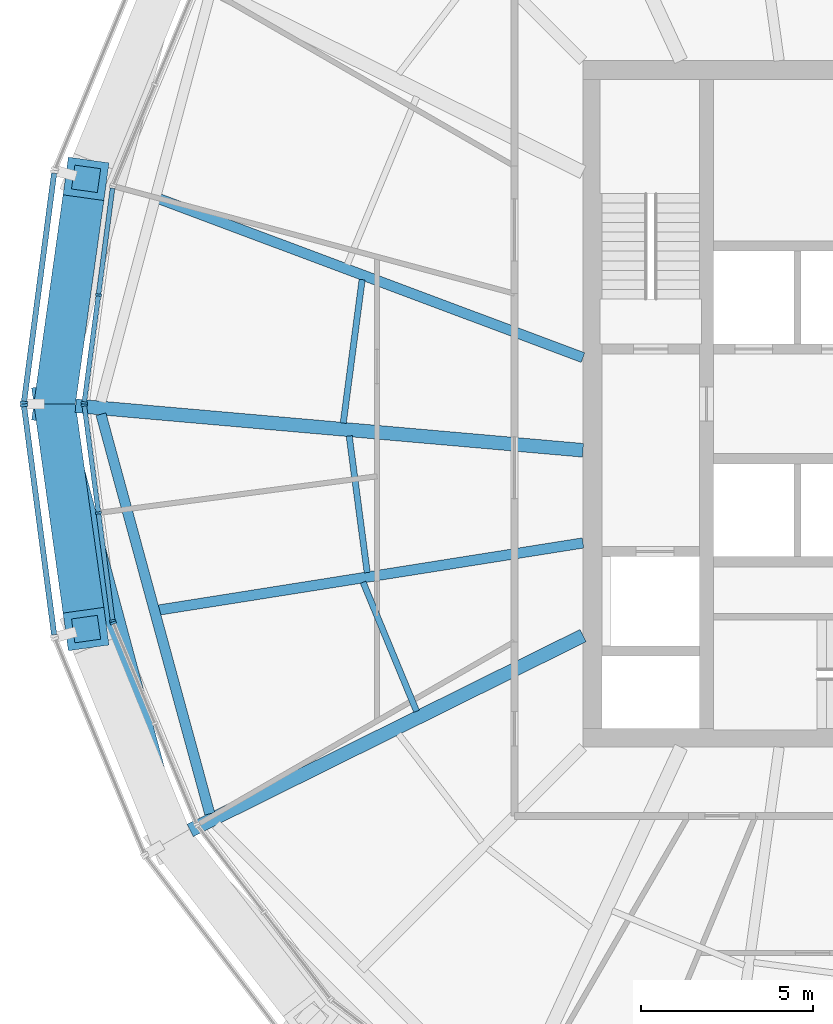
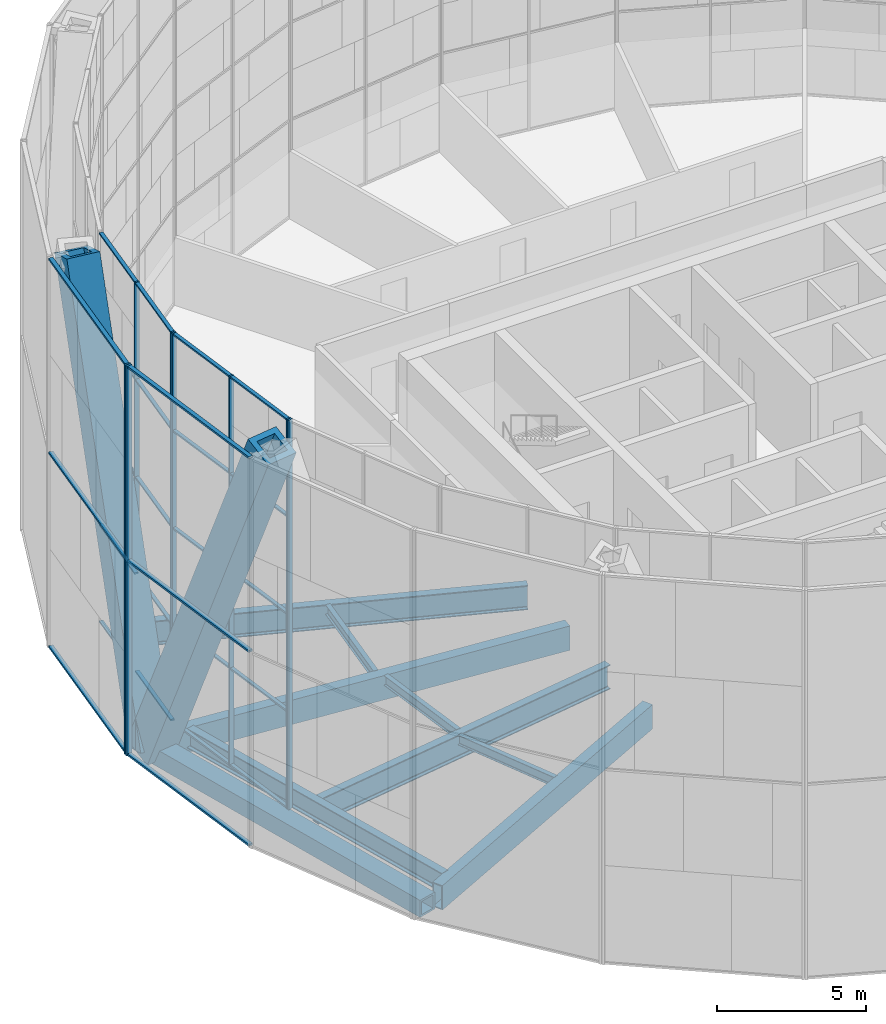
# One storey, part 4 of 29: 36 members, 9 beams, 5 elements without a shape of their own.
"""IFC4 building model written with IfcOpenShell, lengths in metres."""

from ifc_helpers import new_model, si_unit, direction, frame, origin, origin_2d, place, context, subcontext, project, spatial, rectangle, hollow_rectangle, i_section, extrude, material, material_profile, profile_set, type_object, element, aggregate, save


model = new_model("IFC4")

# Units and contexts
model_context = context("Model", 3, precision=1e-05, world=origin(), true_north=direction((0.0, 1.0)))
body_context = subcontext(model_context, "Body", "Model", "MODEL_VIEW")
ifc_project = project(units=[si_unit("LENGTHUNIT", "METRE"), si_unit("AREAUNIT", "SQUARE_METRE"), si_unit("VOLUMEUNIT", "CUBIC_METRE"), si_unit("PLANEANGLEUNIT", "RADIAN"), si_unit("MASSUNIT", "GRAM", prefix="KILO")], contexts=[model_context])

# Site, building, storey
site_placement = place(None, origin())
site = spatial("IfcSite", under=ifc_project, at=site_placement, CompositionType="ELEMENT")
building_placement = place(site_placement, origin())
building = spatial("IfcBuilding", under=site, at=building_placement, Name="Golbaran Civic Tower", CompositionType="ELEMENT")
storey_placement = place(building_placement, frame((0.0, 0.0, 118.0)))
storey = spatial("IfcBuildingStorey", under=building, at=storey_placement, Name="L28", CompositionType="ELEMENT", Elevation=118.0)

# Members
ifc_material_1 = material(Name="Steel S355", Category="steel")
ifc_material_profile_1 = material_profile(ifc_material_1, hollow_rectangle(XDim=1.199951171875, YDim=1.199951171875, WallThickness=0.219970703125, at=origin_2d()), Name="BOX 1200x1200x220")
ifc_profile_set_1 = profile_set([ifc_material_profile_1], Name="Steel S355")
member_type_1 = type_object("IfcMemberType", Name="DIAGRID DIAGONAL BOX 1200x1200x220", PredefinedType="BRACE", material=ifc_profile_set_1)
for number, where, z_axis, x_axis, name in (
    (1, (-25.39306640625, 0.0, -0.7099609375), (0.052927158382, -0.378752046555, 0.923983551334), (0.990376946699, 0.138396182918, 0.0), "Diagonal D06-06R L28-L32"),
    (2, (-25.39306640625, 0.0, -0.7099609375), (0.052927158382, 0.378752046555, 0.923983551334), (-0.990376946699, 0.138396182918, 0.0), "Diagonal D06-06L L28-L32"),
):
    element("IfcMember", number, at=place(storey_placement, frame(where, z_axis=z_axis, x_axis=x_axis)), inside=storey, type_object=member_type_1, Name=name, PredefinedType="BRACE", context=body_context, shape_type="SweptSolid", body=[
        extrude(hollow_rectangle(XDim=1.199951171875, YDim=1.199951171875, WallThickness=0.219970703125, at=origin_2d()), origin(), (0.0, 0.0, 1.0), 17.31640625),
    ])

# Beams
ifc_material_profile_2 = material_profile(ifc_material_1, hollow_rectangle(XDim=0.699951171875, YDim=0.699951171875, WallThickness=0.080078125, at=origin_2d()), Name="BOX 700x700x80")
ifc_profile_set_2 = profile_set([ifc_material_profile_2], Name="Steel S355")
beam_type_1 = type_object("IfcBeamType", Name="DIAGRID RING TIE BOX 700x700x80", PredefinedType="BEAM", material=ifc_profile_set_2)
beam_1_placement = place(storey_placement, frame((-25.39306640625, 0.0, -0.7099609375), z_axis=(0.258824282894, -0.965924422812, 0.0), x_axis=(0.965924422812, 0.258824282894, 0.0)))
element("IfcBeam", 3, at=beam_1_placement, inside=storey, type_object=beam_type_1, Name="Ring tie 180.00 L28", PredefinedType="BEAM", context=body_context, shape_type="SweptSolid", body=[
    extrude(hollow_rectangle(XDim=0.699951171875, YDim=0.699951171875, WallThickness=0.080078125, at=origin_2d()), origin(), (0.0, 0.0, 1.0), 13.14453125),
])
ifc_material_profile_3 = material_profile(ifc_material_1, i_section(OverallWidth=0.300048828125, OverallDepth=0.800048828125, WebThickness=0.017578125, FlangeThickness=0.032958984375, FilletRadius=0.030029296875, at=origin_2d()), Name="HEB 800")
ifc_profile_set_3 = profile_set([ifc_material_profile_3], Name="Steel S355")
beam_type_2 = type_object("IfcBeamType", Name="EDGE BEAM HEB 800", PredefinedType="BEAM", material=ifc_profile_set_3)
beam_2_placement = place(storey_placement, frame((-24.04345703125, -0.299072265625, -0.60009765625), z_axis=(0.262754426277, -0.964862742296, 0.0), x_axis=(0.964862742296, 0.262754426277, 0.0)))
element("IfcBeam", 4, at=beam_2_placement, inside=storey, type_object=beam_type_2, Name="Edge beam 180.00 L28", PredefinedType="BEAM", context=body_context, shape_type="SweptSolid", body=[
    extrude(i_section(OverallWidth=0.300048828125, OverallDepth=0.800048828125, WebThickness=0.017578125, FlangeThickness=0.032958984375, FilletRadius=0.030029296875, at=origin_2d()), origin(), (0.0, 0.0, 1.0), 12.066162109375),
])
ifc_material_profile_4 = material_profile(ifc_material_1, i_section(OverallWidth=0.179931640625, OverallDepth=0.39990234375, WebThickness=0.008544921875, FlangeThickness=0.013427734375, FilletRadius=0.02099609375, at=origin_2d()), Name="IPE 400")
ifc_profile_set_4 = profile_set([ifc_material_profile_4], Name="Steel S355")
beam_type_3 = type_object("IfcBeamType", Name="FLOOR INFILL BEAM IPE 400", PredefinedType="BEAM", material=ifc_profile_set_4)
beam_3_placement = place(storey_placement, frame((-16.43408203125, 3.621826171875, -0.39990234375), z_axis=(-0.130505458178, -0.991447590842, 0.0), x_axis=(0.991447590842, -0.130505458178, 0.0)))
element("IfcBeam", 5, at=beam_3_placement, inside=storey, type_object=beam_type_3, Name="Infill beam 172.50 L28", PredefinedType="BEAM", context=body_context, shape_type="SweptSolid", body=[
    extrude(i_section(OverallWidth=0.179931640625, OverallDepth=0.39990234375, WebThickness=0.008544921875, FlangeThickness=0.013427734375, FilletRadius=0.02099609375, at=origin_2d()), origin(), (0.0, 0.0, 1.0), 4.21484375),
])
beam_4_placement = place(storey_placement, frame((-16.810546875, -0.933349609375, -0.39990234375), z_axis=(0.130530035983, -0.991444355325, 0.0), x_axis=(0.991444355325, 0.130530035983, 0.0)))
element("IfcBeam", 6, at=beam_4_placement, inside=storey, type_object=beam_type_3, Name="Infill beam 187.50 L28", PredefinedType="BEAM", context=body_context, shape_type="SweptSolid", body=[
    extrude(i_section(OverallWidth=0.179931640625, OverallDepth=0.39990234375, WebThickness=0.008544921875, FlangeThickness=0.013427734375, FilletRadius=0.02099609375, at=origin_2d()), origin(), (0.0, 0.0, 1.0), 4.013916015625),
])
beam_5_placement = place(storey_placement, frame((-16.40576171875, -5.19482421875, -0.39990234375), z_axis=(0.382722767832, -0.923863238246, 0.0), x_axis=(0.923863238246, 0.382722767832, 0.0)))
element("IfcBeam", 7, at=beam_5_placement, inside=storey, type_object=beam_type_3, Name="Infill beam 202.50 L28", PredefinedType="BEAM", context=body_context, shape_type="SweptSolid", body=[
    extrude(i_section(OverallWidth=0.179931640625, OverallDepth=0.39990234375, WebThickness=0.008544921875, FlangeThickness=0.013427734375, FilletRadius=0.02099609375, at=origin_2d()), origin(), (0.0, 0.0, 1.0), 4.068603515625),
])

# Curtain wall, members
ifc_material_2 = material(Name="Aluminium and glass", Category="aluminium")
curtain_wall_type_1 = type_object("IfcCurtainWallType", Name="INNER SKIN CURTAIN WALL", PredefinedType="NOTDEFINED", material=ifc_material_2)
curtain_wall_1_placement = place(storey_placement, origin())
curtain_wall_1 = element("IfcCurtainWall", 8, at=curtain_wall_1_placement, inside=storey, type_object=curtain_wall_type_1, Name="Inner skin L28 facet 12 CW1", ObjectType="INNER SKIN", PredefinedType="USERDEFINED")
ifc_material_3 = material(Name="Aluminium", Category="aluminium")
ifc_material_profile_5 = material_profile(ifc_material_3, rectangle(XDim=0.179931640625, YDim=0.06494140625, at=origin_2d()), Name="INNER SKIN CURTAIN WALL MULLION")
ifc_profile_set_5 = profile_set([ifc_material_profile_5], Name="Aluminium")
member_type_2 = type_object("IfcMemberType", Name="INNER SKIN CURTAIN WALL MULLION", PredefinedType="MULLION", material=ifc_profile_set_5)
member_1_placement = place(storey_placement, frame((-24.115966796875, 3.175048828125, 0.0), z_axis=(0.0, 0.0, 1.0), x_axis=(0.991444861372, -0.130526192237, 0.0)))
member_1 = element("IfcMember", 9, at=member_1_placement, type_object=member_type_2, Name="CW1 mullion 2", PredefinedType="MULLION", context=body_context, shape_type="SweptSolid", body=[
    extrude(rectangle(XDim=0.179931640625, YDim=0.06494140625, at=origin_2d()), origin(), (0.0, 0.0, 1.0), 16.0),
])
member_2_placement = place(storey_placement, frame((-24.52978515625, 0.0322265625, 0.0), z_axis=(0.0, 0.0, 1.0), x_axis=(0.991444861372, -0.130526192237, 0.0)))
member_2 = element("IfcMember", 10, at=member_2_placement, type_object=member_type_2, Name="CW1 mullion 3", PredefinedType="MULLION", context=body_context, shape_type="SweptSolid", body=[
    extrude(rectangle(XDim=0.179931640625, YDim=0.06494140625, at=origin_2d()), origin(), (0.0, 0.0, 1.0), 16.0),
])

curtain_wall_2_placement = place(storey_placement, origin())
curtain_wall_2 = element("IfcCurtainWall", 11, at=curtain_wall_2_placement, inside=storey, type_object=curtain_wall_type_1, Name="Inner skin L28 facet 13 CW1", ObjectType="INNER SKIN", PredefinedType="USERDEFINED")
member_3_placement = place(storey_placement, frame((-24.52978515625, -0.0322265625, 0.0), z_axis=(0.0, 0.0, 1.0), x_axis=(0.991444861372, 0.130526192237, 0.0)))
member_3 = element("IfcMember", 12, at=member_3_placement, type_object=member_type_2, Name="CW1 mullion 1", PredefinedType="MULLION", context=body_context, shape_type="SweptSolid", body=[
    extrude(rectangle(XDim=0.179931640625, YDim=0.06494140625, at=origin_2d()), origin(), (0.0, 0.0, 1.0), 16.0),
])
member_4_placement = place(storey_placement, frame((-24.115966796875, -3.175048828125, 0.0), z_axis=(0.0, 0.0, 1.0), x_axis=(0.991444861372, 0.130526192237, 0.0)))
member_4 = element("IfcMember", 13, at=member_4_placement, type_object=member_type_2, Name="CW1 mullion 2", PredefinedType="MULLION", context=body_context, shape_type="SweptSolid", body=[
    extrude(rectangle(XDim=0.179931640625, YDim=0.06494140625, at=origin_2d()), origin(), (0.0, 0.0, 1.0), 16.0),
])
member_5_placement = place(storey_placement, frame((-23.7021484375, -6.317626953125, 0.0), z_axis=(0.0, 0.0, 1.0), x_axis=(0.991444861372, 0.130526192237, 0.0)))
member_5 = element("IfcMember", 14, at=member_5_placement, type_object=member_type_2, Name="CW1 mullion 3", PredefinedType="MULLION", context=body_context, shape_type="SweptSolid", body=[
    extrude(rectangle(XDim=0.179931640625, YDim=0.06494140625, at=origin_2d()), origin(), (0.0, 0.0, 1.0), 16.0),
])

# Curtain wall, member
curtain_wall_3_placement = place(storey_placement, origin())
curtain_wall_3 = element("IfcCurtainWall", 15, at=curtain_wall_3_placement, inside=storey, type_object=curtain_wall_type_1, Name="Inner skin L28 facet 14 CW1", ObjectType="INNER SKIN", PredefinedType="USERDEFINED")
member_6_placement = place(storey_placement, frame((-23.685546875, -6.3798828125, 0.0), z_axis=(0.0, 0.0, 1.0), x_axis=(0.923879532485, 0.38268343243, 0.0)))
member_6 = element("IfcMember", 16, at=member_6_placement, type_object=member_type_2, Name="CW1 mullion 1", PredefinedType="MULLION", context=body_context, shape_type="SweptSolid", body=[
    extrude(rectangle(XDim=0.179931640625, YDim=0.06494140625, at=origin_2d()), origin(), (0.0, 0.0, 1.0), 16.0),
])
aggregate(curtain_wall_3, [member_6])

# Member
ifc_material_profile_6 = material_profile(ifc_material_3, rectangle(XDim=0.139892578125, YDim=0.06494140625, at=origin_2d()), Name="INNER SKIN CURTAIN WALL TRANSOM")
ifc_profile_set_6 = profile_set([ifc_material_profile_6], Name="Aluminium")
member_type_3 = type_object("IfcMemberType", Name="INNER SKIN CURTAIN WALL TRANSOM", PredefinedType="USERDEFINED", material=ifc_profile_set_6)
member_7_placement = place(storey_placement, frame((-23.70654296875, 6.285400390625, 0.032470703125), z_axis=(-0.130535878251, -0.991443586136, 0.0), x_axis=(0.991443586136, -0.130535878251, 0.0)))
member_7 = element("IfcMember", 17, at=member_7_placement, type_object=member_type_3, Name="CW1 transom 1.1", ObjectType="TRANSOM", PredefinedType="USERDEFINED", context=body_context, shape_type="SweptSolid", body=[
    extrude(rectangle(XDim=0.139892578125, YDim=0.06494140625, at=origin_2d()), origin(), (0.0, 0.0, 1.0), 3.104736328125),
])

member_8_placement = place(storey_placement, frame((-23.70654296875, 6.285400390625, 4.0), z_axis=(-0.130535878251, -0.991443586136, 0.0), x_axis=(0.991443586136, -0.130535878251, 0.0)))
member_8 = element("IfcMember", 18, at=member_8_placement, type_object=member_type_3, Name="CW1 transom 1.2", ObjectType="TRANSOM", PredefinedType="USERDEFINED", context=body_context, shape_type="SweptSolid", body=[
    extrude(rectangle(XDim=0.139892578125, YDim=0.06494140625, at=origin_2d()), origin(), (0.0, 0.0, 1.0), 3.104736328125),
])

member_9_placement = place(storey_placement, frame((-23.70654296875, 6.285400390625, 8.0), z_axis=(-0.130535878251, -0.991443586136, 0.0), x_axis=(0.991443586136, -0.130535878251, 0.0)))
member_9 = element("IfcMember", 19, at=member_9_placement, type_object=member_type_3, Name="CW1 transom 1.3", ObjectType="TRANSOM", PredefinedType="USERDEFINED", context=body_context, shape_type="SweptSolid", body=[
    extrude(rectangle(XDim=0.139892578125, YDim=0.06494140625, at=origin_2d()), origin(), (0.0, 0.0, 1.0), 3.104736328125),
])

member_10_placement = place(storey_placement, frame((-23.70654296875, 6.285400390625, 12.0), z_axis=(-0.130535878251, -0.991443586136, 0.0), x_axis=(0.991443586136, -0.130535878251, 0.0)))
member_10 = element("IfcMember", 20, at=member_10_placement, type_object=member_type_3, Name="CW1 transom 1.4", ObjectType="TRANSOM", PredefinedType="USERDEFINED", context=body_context, shape_type="SweptSolid", body=[
    extrude(rectangle(XDim=0.139892578125, YDim=0.06494140625, at=origin_2d()), origin(), (0.0, 0.0, 1.0), 3.104736328125),
])

member_11_placement = place(storey_placement, frame((-23.70654296875, 6.285400390625, 15.967529296875), z_axis=(-0.130535878251, -0.991443586136, 0.0), x_axis=(0.991443586136, -0.130535878251, 0.0)))
member_11 = element("IfcMember", 21, at=member_11_placement, type_object=member_type_3, Name="CW1 transom 1.5", ObjectType="TRANSOM", PredefinedType="USERDEFINED", context=body_context, shape_type="SweptSolid", body=[
    extrude(rectangle(XDim=0.139892578125, YDim=0.06494140625, at=origin_2d()), origin(), (0.0, 0.0, 1.0), 3.104736328125),
])

member_12_placement = place(storey_placement, frame((-24.120361328125, 3.142822265625, 0.032470703125), z_axis=(-0.130525702039, -0.991444925907, 0.0), x_axis=(0.991444925907, -0.130525702039, 0.0)))
member_12 = element("IfcMember", 22, at=member_12_placement, type_object=member_type_3, Name="CW1 transom 2.1", ObjectType="TRANSOM", PredefinedType="USERDEFINED", context=body_context, shape_type="SweptSolid", body=[
    extrude(rectangle(XDim=0.139892578125, YDim=0.06494140625, at=origin_2d()), origin(), (0.0, 0.0, 1.0), 3.10498046875),
])

member_13_placement = place(storey_placement, frame((-24.120361328125, 3.142822265625, 4.0), z_axis=(-0.130525702039, -0.991444925907, 0.0), x_axis=(0.991444925907, -0.130525702039, 0.0)))
member_13 = element("IfcMember", 23, at=member_13_placement, type_object=member_type_3, Name="CW1 transom 2.2", ObjectType="TRANSOM", PredefinedType="USERDEFINED", context=body_context, shape_type="SweptSolid", body=[
    extrude(rectangle(XDim=0.139892578125, YDim=0.06494140625, at=origin_2d()), origin(), (0.0, 0.0, 1.0), 3.10498046875),
])

member_14_placement = place(storey_placement, frame((-24.120361328125, 3.142822265625, 8.0), z_axis=(-0.130525702039, -0.991444925907, 0.0), x_axis=(0.991444925907, -0.130525702039, 0.0)))
member_14 = element("IfcMember", 24, at=member_14_placement, type_object=member_type_3, Name="CW1 transom 2.3", ObjectType="TRANSOM", PredefinedType="USERDEFINED", context=body_context, shape_type="SweptSolid", body=[
    extrude(rectangle(XDim=0.139892578125, YDim=0.06494140625, at=origin_2d()), origin(), (0.0, 0.0, 1.0), 3.10498046875),
])

member_15_placement = place(storey_placement, frame((-24.120361328125, 3.142822265625, 12.0), z_axis=(-0.130525702039, -0.991444925907, 0.0), x_axis=(0.991444925907, -0.130525702039, 0.0)))
member_15 = element("IfcMember", 25, at=member_15_placement, type_object=member_type_3, Name="CW1 transom 2.4", ObjectType="TRANSOM", PredefinedType="USERDEFINED", context=body_context, shape_type="SweptSolid", body=[
    extrude(rectangle(XDim=0.139892578125, YDim=0.06494140625, at=origin_2d()), origin(), (0.0, 0.0, 1.0), 3.10498046875),
])

member_16_placement = place(storey_placement, frame((-24.120361328125, 3.142822265625, 15.967529296875), z_axis=(-0.130525702039, -0.991444925907, 0.0), x_axis=(0.991444925907, -0.130525702039, 0.0)))
member_16 = element("IfcMember", 26, at=member_16_placement, type_object=member_type_3, Name="CW1 transom 2.5", ObjectType="TRANSOM", PredefinedType="USERDEFINED", context=body_context, shape_type="SweptSolid", body=[
    extrude(rectangle(XDim=0.139892578125, YDim=0.06494140625, at=origin_2d()), origin(), (0.0, 0.0, 1.0), 3.10498046875),
])

aggregate(curtain_wall_1, [member_1, member_2, member_7, member_8, member_9, member_10, member_11, member_12, member_13, member_14, member_15, member_16])

member_17_placement = place(storey_placement, frame((-24.525634765625, -0.064453125, 0.032470703125), z_axis=(0.130525702039, -0.991444925907, 0.0), x_axis=(0.991444925907, 0.130525702039, 0.0)))
member_17 = element("IfcMember", 27, at=member_17_placement, type_object=member_type_3, Name="CW1 transom 1.1", ObjectType="TRANSOM", PredefinedType="USERDEFINED", context=body_context, shape_type="SweptSolid", body=[
    extrude(rectangle(XDim=0.139892578125, YDim=0.06494140625, at=origin_2d()), origin(), (0.0, 0.0, 1.0), 3.10498046875),
])

member_18_placement = place(storey_placement, frame((-24.525634765625, -0.064453125, 4.0), z_axis=(0.130525702039, -0.991444925907, 0.0), x_axis=(0.991444925907, 0.130525702039, 0.0)))
member_18 = element("IfcMember", 28, at=member_18_placement, type_object=member_type_3, Name="CW1 transom 1.2", ObjectType="TRANSOM", PredefinedType="USERDEFINED", context=body_context, shape_type="SweptSolid", body=[
    extrude(rectangle(XDim=0.139892578125, YDim=0.06494140625, at=origin_2d()), origin(), (0.0, 0.0, 1.0), 3.10498046875),
])

member_19_placement = place(storey_placement, frame((-24.525634765625, -0.064453125, 8.0), z_axis=(0.130525702039, -0.991444925907, 0.0), x_axis=(0.991444925907, 0.130525702039, 0.0)))
member_19 = element("IfcMember", 29, at=member_19_placement, type_object=member_type_3, Name="CW1 transom 1.3", ObjectType="TRANSOM", PredefinedType="USERDEFINED", context=body_context, shape_type="SweptSolid", body=[
    extrude(rectangle(XDim=0.139892578125, YDim=0.06494140625, at=origin_2d()), origin(), (0.0, 0.0, 1.0), 3.10498046875),
])

member_20_placement = place(storey_placement, frame((-24.525634765625, -0.064453125, 12.0), z_axis=(0.130525702039, -0.991444925907, 0.0), x_axis=(0.991444925907, 0.130525702039, 0.0)))
member_20 = element("IfcMember", 30, at=member_20_placement, type_object=member_type_3, Name="CW1 transom 1.4", ObjectType="TRANSOM", PredefinedType="USERDEFINED", context=body_context, shape_type="SweptSolid", body=[
    extrude(rectangle(XDim=0.139892578125, YDim=0.06494140625, at=origin_2d()), origin(), (0.0, 0.0, 1.0), 3.10498046875),
])

member_21_placement = place(storey_placement, frame((-24.525634765625, -0.064453125, 15.967529296875), z_axis=(0.130525702039, -0.991444925907, 0.0), x_axis=(0.991444925907, 0.130525702039, 0.0)))
member_21 = element("IfcMember", 31, at=member_21_placement, type_object=member_type_3, Name="CW1 transom 1.5", ObjectType="TRANSOM", PredefinedType="USERDEFINED", context=body_context, shape_type="SweptSolid", body=[
    extrude(rectangle(XDim=0.139892578125, YDim=0.06494140625, at=origin_2d()), origin(), (0.0, 0.0, 1.0), 3.10498046875),
])

member_22_placement = place(storey_placement, frame((-24.11181640625, -3.207275390625, 0.032470703125), z_axis=(0.130535878251, -0.991443586136, 0.0), x_axis=(0.991443586136, 0.130535878251, 0.0)))
member_22 = element("IfcMember", 32, at=member_22_placement, type_object=member_type_3, Name="CW1 transom 2.1", ObjectType="TRANSOM", PredefinedType="USERDEFINED", context=body_context, shape_type="SweptSolid", body=[
    extrude(rectangle(XDim=0.139892578125, YDim=0.06494140625, at=origin_2d()), origin(), (0.0, 0.0, 1.0), 3.104736328125),
])

member_23_placement = place(storey_placement, frame((-24.11181640625, -3.207275390625, 4.0), z_axis=(0.130535878251, -0.991443586136, 0.0), x_axis=(0.991443586136, 0.130535878251, 0.0)))
member_23 = element("IfcMember", 33, at=member_23_placement, type_object=member_type_3, Name="CW1 transom 2.2", ObjectType="TRANSOM", PredefinedType="USERDEFINED", context=body_context, shape_type="SweptSolid", body=[
    extrude(rectangle(XDim=0.139892578125, YDim=0.06494140625, at=origin_2d()), origin(), (0.0, 0.0, 1.0), 3.104736328125),
])

member_24_placement = place(storey_placement, frame((-24.11181640625, -3.207275390625, 8.0), z_axis=(0.130535878251, -0.991443586136, 0.0), x_axis=(0.991443586136, 0.130535878251, 0.0)))
member_24 = element("IfcMember", 34, at=member_24_placement, type_object=member_type_3, Name="CW1 transom 2.3", ObjectType="TRANSOM", PredefinedType="USERDEFINED", context=body_context, shape_type="SweptSolid", body=[
    extrude(rectangle(XDim=0.139892578125, YDim=0.06494140625, at=origin_2d()), origin(), (0.0, 0.0, 1.0), 3.104736328125),
])

member_25_placement = place(storey_placement, frame((-24.11181640625, -3.207275390625, 12.0), z_axis=(0.130535878251, -0.991443586136, 0.0), x_axis=(0.991443586136, 0.130535878251, 0.0)))
member_25 = element("IfcMember", 35, at=member_25_placement, type_object=member_type_3, Name="CW1 transom 2.4", ObjectType="TRANSOM", PredefinedType="USERDEFINED", context=body_context, shape_type="SweptSolid", body=[
    extrude(rectangle(XDim=0.139892578125, YDim=0.06494140625, at=origin_2d()), origin(), (0.0, 0.0, 1.0), 3.104736328125),
])

member_26_placement = place(storey_placement, frame((-24.11181640625, -3.207275390625, 15.967529296875), z_axis=(0.130535878251, -0.991443586136, 0.0), x_axis=(0.991443586136, 0.130535878251, 0.0)))
member_26 = element("IfcMember", 36, at=member_26_placement, type_object=member_type_3, Name="CW1 transom 2.5", ObjectType="TRANSOM", PredefinedType="USERDEFINED", context=body_context, shape_type="SweptSolid", body=[
    extrude(rectangle(XDim=0.139892578125, YDim=0.06494140625, at=origin_2d()), origin(), (0.0, 0.0, 1.0), 3.104736328125),
])

aggregate(curtain_wall_2, [member_3, member_4, member_5, member_17, member_18, member_19, member_20, member_21, member_22, member_23, member_24, member_25, member_26])

# Curtain wall, member
curtain_wall_type_2 = type_object("IfcCurtainWallType", Name="OUTER SKIN TERRACOTTA SCREEN", PredefinedType="NOTDEFINED", material=ifc_material_2)
curtain_wall_4_placement = place(storey_placement, origin())
curtain_wall_4 = element("IfcCurtainWall", 37, at=curtain_wall_4_placement, inside=storey, type_object=curtain_wall_type_2, Name="Outer skin L28 facet 12 CW3", ObjectType="OUTER SKIN", PredefinedType="USERDEFINED")
ifc_material_profile_7 = material_profile(ifc_material_3, rectangle(XDim=0.219970703125, YDim=0.080078125, at=origin_2d()), Name="OUTER SKIN TERRACOTTA SCREEN MULLION")
ifc_profile_set_7 = profile_set([ifc_material_profile_7], Name="Aluminium")
member_type_4 = type_object("IfcMemberType", Name="OUTER SKIN TERRACOTTA SCREEN MULLION", PredefinedType="MULLION", material=ifc_profile_set_7)
member_27_placement = place(storey_placement, frame((-26.287841796875, 0.03955078125, -0.7099609375), z_axis=(0.0, 0.0, 1.0), x_axis=(0.991444861381, -0.130526192168, 0.0)))
member_27 = element("IfcMember", 38, at=member_27_placement, type_object=member_type_4, Name="CW3 mullion 2", PredefinedType="MULLION", context=body_context, shape_type="SweptSolid", body=[
    extrude(rectangle(XDim=0.219970703125, YDim=0.080078125, at=origin_2d()), origin(), (0.0, 0.0, 1.0), 16.0),
])

curtain_wall_5_placement = place(storey_placement, origin())
curtain_wall_5 = element("IfcCurtainWall", 39, at=curtain_wall_5_placement, inside=storey, type_object=curtain_wall_type_2, Name="Outer skin L28 facet 13 CW3", ObjectType="OUTER SKIN", PredefinedType="USERDEFINED")
member_28_placement = place(storey_placement, frame((-26.287841796875, -0.03955078125, -0.7099609375), z_axis=(0.0, 0.0, 1.0), x_axis=(0.991444861381, 0.130526192168, 0.0)))
member_28 = element("IfcMember", 40, at=member_28_placement, type_object=member_type_4, Name="CW3 mullion 1", PredefinedType="MULLION", context=body_context, shape_type="SweptSolid", body=[
    extrude(rectangle(XDim=0.219970703125, YDim=0.080078125, at=origin_2d()), origin(), (0.0, 0.0, 1.0), 16.0),
])

# Member
ifc_material_profile_8 = material_profile(ifc_material_3, rectangle(XDim=0.159912109375, YDim=0.080078125, at=origin_2d()), Name="OUTER SKIN TERRACOTTA SCREEN TRANSOM")
ifc_profile_set_8 = profile_set([ifc_material_profile_8], Name="Aluminium")
member_type_5 = type_object("IfcMemberType", Name="OUTER SKIN TERRACOTTA SCREEN TRANSOM", PredefinedType="USERDEFINED", material=ifc_profile_set_8)
member_29_placement = place(storey_placement, frame((-25.407470703125, 6.725830078125, -0.669921875), z_axis=(-0.1305223406, -0.991445368442, 0.0), x_axis=(0.991445368442, -0.1305223406, 0.0)))
member_29 = element("IfcMember", 41, at=member_29_placement, type_object=member_type_5, Name="CW3 transom 1.1", ObjectType="TRANSOM", PredefinedType="USERDEFINED", context=body_context, shape_type="SweptSolid", body=[
    extrude(rectangle(XDim=0.159912109375, YDim=0.080078125, at=origin_2d()), origin(), (0.0, 0.0, 1.0), 6.703857421875),
])

member_30_placement = place(storey_placement, frame((-25.407470703125, 6.725830078125, 7.2900390625), z_axis=(-0.1305223406, -0.991445368442, 0.0), x_axis=(0.991445368442, -0.1305223406, 0.0)))
member_30 = element("IfcMember", 42, at=member_30_placement, type_object=member_type_5, Name="CW3 transom 1.2", ObjectType="TRANSOM", PredefinedType="USERDEFINED", context=body_context, shape_type="SweptSolid", body=[
    extrude(rectangle(XDim=0.159912109375, YDim=0.080078125, at=origin_2d()), origin(), (0.0, 0.0, 1.0), 6.703857421875),
])

member_31_placement = place(storey_placement, frame((-25.407470703125, 6.725830078125, 15.25), z_axis=(-0.1305223406, -0.991445368442, 0.0), x_axis=(0.991445368442, -0.1305223406, 0.0)))
member_31 = element("IfcMember", 43, at=member_31_placement, type_object=member_type_5, Name="CW3 transom 1.3", ObjectType="TRANSOM", PredefinedType="USERDEFINED", context=body_context, shape_type="SweptSolid", body=[
    extrude(rectangle(XDim=0.159912109375, YDim=0.080078125, at=origin_2d()), origin(), (0.0, 0.0, 1.0), 6.703857421875),
])

aggregate(curtain_wall_4, [member_27, member_29, member_30, member_31])

member_32_placement = place(storey_placement, frame((-26.282470703125, -0.079345703125, -0.669921875), z_axis=(0.1305223406, -0.991445368442, 0.0), x_axis=(0.991445368442, 0.1305223406, 0.0)))
member_32 = element("IfcMember", 44, at=member_32_placement, type_object=member_type_5, Name="CW3 transom 1.1", ObjectType="TRANSOM", PredefinedType="USERDEFINED", context=body_context, shape_type="SweptSolid", body=[
    extrude(rectangle(XDim=0.159912109375, YDim=0.080078125, at=origin_2d()), origin(), (0.0, 0.0, 1.0), 6.703857421875),
])

member_33_placement = place(storey_placement, frame((-26.282470703125, -0.079345703125, 7.2900390625), z_axis=(0.1305223406, -0.991445368442, 0.0), x_axis=(0.991445368442, 0.1305223406, 0.0)))
member_33 = element("IfcMember", 45, at=member_33_placement, type_object=member_type_5, Name="CW3 transom 1.2", ObjectType="TRANSOM", PredefinedType="USERDEFINED", context=body_context, shape_type="SweptSolid", body=[
    extrude(rectangle(XDim=0.159912109375, YDim=0.080078125, at=origin_2d()), origin(), (0.0, 0.0, 1.0), 6.703857421875),
])

member_34_placement = place(storey_placement, frame((-26.282470703125, -0.079345703125, 15.25), z_axis=(0.1305223406, -0.991445368442, 0.0), x_axis=(0.991445368442, 0.1305223406, 0.0)))
member_34 = element("IfcMember", 46, at=member_34_placement, type_object=member_type_5, Name="CW3 transom 1.3", ObjectType="TRANSOM", PredefinedType="USERDEFINED", context=body_context, shape_type="SweptSolid", body=[
    extrude(rectangle(XDim=0.159912109375, YDim=0.080078125, at=origin_2d()), origin(), (0.0, 0.0, 1.0), 6.703857421875),
])

aggregate(curtain_wall_5, [member_28, member_32, member_33, member_34])

# Beams
ifc_material_profile_9 = material_profile(ifc_material_1, hollow_rectangle(XDim=0.39990234375, YDim=1.0, WallThickness=0.0400390625, at=origin_2d()), Name="BOX 1000x400x40")
ifc_profile_set_9 = profile_set([ifc_material_profile_9], Name="Steel S355")
beam_type_4 = type_object("IfcBeamType", Name="RADIAL FLOOR BEAM BOX 1000x400x40", PredefinedType="BEAM", material=ifc_profile_set_9)
beam_6_placement = place(storey_placement, frame((-10.0, -1.35009765625, -0.7099609375), z_axis=(-0.996175100902, 0.087379450349, 0.0), x_axis=(-0.087379450349, -0.996175100902, 0.0)))
element("IfcBeam", 47, at=beam_6_placement, inside=storey, type_object=beam_type_4, Name="Radial beam 180.00 L28", PredefinedType="BEAM", context=body_context, shape_type="SweptSolid", body=[
    extrude(hollow_rectangle(XDim=0.39990234375, YDim=1.0, WallThickness=0.0400390625, at=origin_2d()), origin(), (0.0, 0.0, 1.0), 14.836181640625),
])
beam_7_placement = place(storey_placement, frame((-10.0, -6.75, -0.7099609375), z_axis=(-0.895890417993, -0.444275093774, 0.0), x_axis=(0.444275093774, -0.895890417993, 0.0)))
element("IfcBeam", 48, at=beam_7_placement, inside=storey, type_object=beam_type_4, Name="Radial beam 210.00 L28", PredefinedType="BEAM", context=body_context, shape_type="SweptSolid", body=[
    extrude(hollow_rectangle(XDim=0.39990234375, YDim=1.0, WallThickness=0.0400390625, at=origin_2d()), origin(), (0.0, 0.0, 1.0), 12.77197265625),
])
ifc_material_profile_10 = material_profile(ifc_material_1, i_section(OverallWidth=0.300048828125, OverallDepth=1.0, WebThickness=0.01904296875, FlangeThickness=0.035888671875, FilletRadius=0.030029296875, at=origin_2d()), Name="HEB 1000")
ifc_profile_set_10 = profile_set([ifc_material_profile_10], Name="Steel S355")
beam_type_5 = type_object("IfcBeamType", Name="SECONDARY FLOOR BEAM HEB 1000", PredefinedType="BEAM", material=ifc_profile_set_10)
beam_8_placement = place(storey_placement, frame((-10.0, 1.35009765625, -0.7099609375), z_axis=(-0.936427956916, 0.350859917213, 0.0), x_axis=(-0.350859917213, -0.936427956916, 0.0)))
element("IfcBeam", 49, at=beam_8_placement, inside=storey, type_object=beam_type_5, Name="Secondary beam 165.00 L28", PredefinedType="BEAM", context=body_context, shape_type="SweptSolid", body=[
    extrude(i_section(OverallWidth=0.300048828125, OverallDepth=1.0, WebThickness=0.01904296875, FlangeThickness=0.035888671875, FilletRadius=0.030029296875, at=origin_2d()), origin(), (0.0, 0.0, 1.0), 13.30078125),
])
beam_9_placement = place(storey_placement, frame((-10.0, -4.050048828125, -0.7099609375), z_axis=(-0.987721113403, -0.156227405206, 0.0), x_axis=(0.156227405206, -0.987721113403, 0.0)))
element("IfcBeam", 50, at=beam_9_placement, inside=storey, type_object=beam_type_5, Name="Secondary beam 195.00 L28", PredefinedType="BEAM", context=body_context, shape_type="SweptSolid", body=[
    extrude(i_section(OverallWidth=0.300048828125, OverallDepth=1.0, WebThickness=0.01904296875, FlangeThickness=0.035888671875, FilletRadius=0.030029296875, at=origin_2d()), origin(), (0.0, 0.0, 1.0), 12.639404296875),
])

save(model, "model.ifc")
